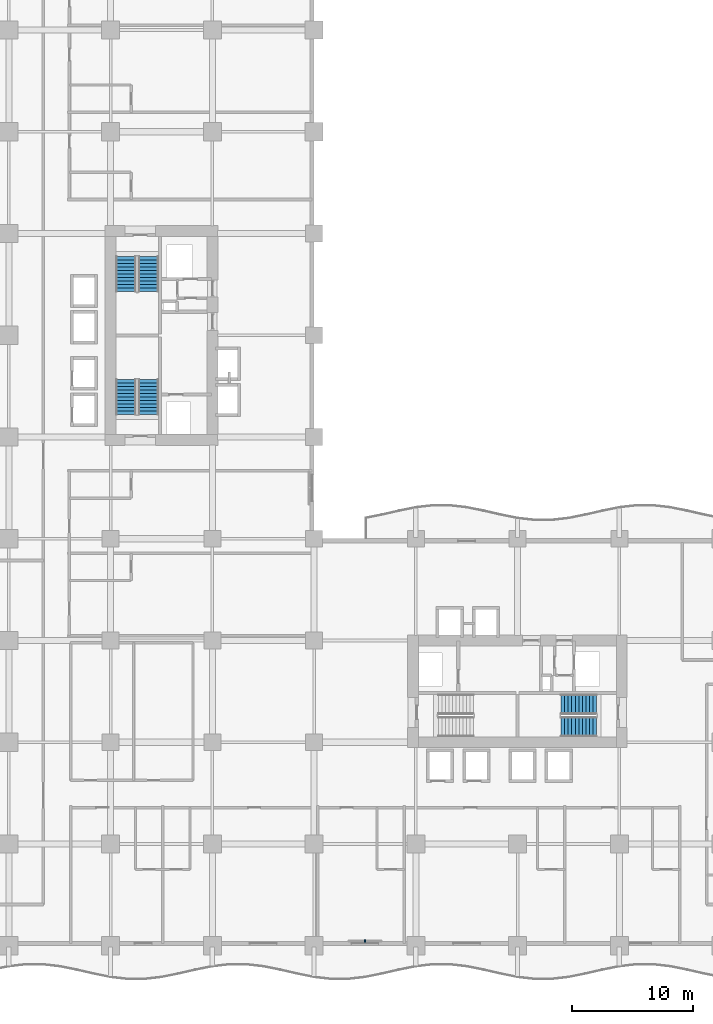
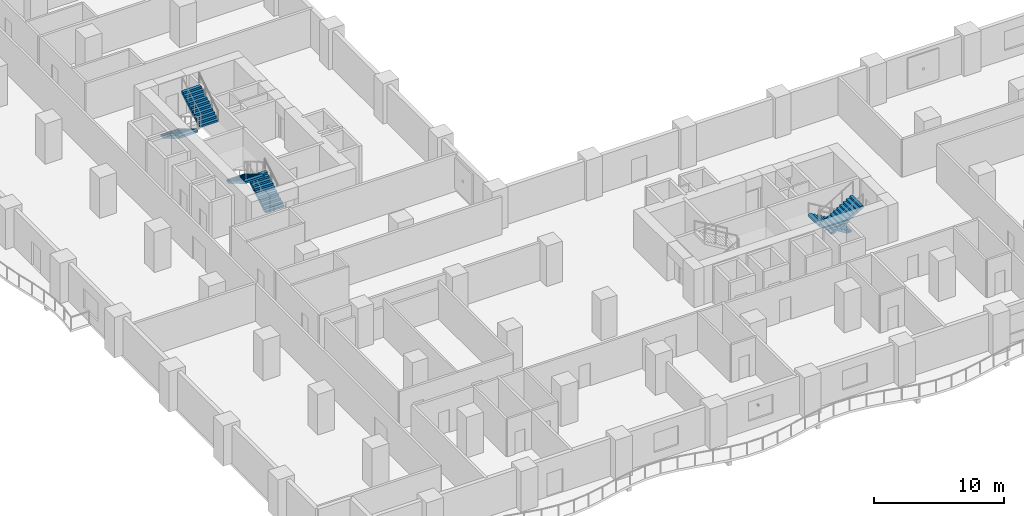
# One storey, part 13 of 20: 6 stair flights, 1 discrete accessory, 3 elements without a shape of their own.
"""IFC4 building model written with IfcOpenShell, lengths in metres."""

from ifc_helpers import new_model, si_unit, direction, frame, origin, origin_2d, place, context, subcontext, project, spatial, polyline, rectangle, outline, extrude, material, type_object, element, aggregate, save


model = new_model("IFC4")

# Units and contexts
model_context = context("Model", 3, precision=1e-05, world=origin(), true_north=direction((0.0, 1.0)))
body_context = subcontext(model_context, "Body", "Model", "MODEL_VIEW")
ifc_project = project(units=[si_unit("LENGTHUNIT", "METRE"), si_unit("AREAUNIT", "SQUARE_METRE"), si_unit("VOLUMEUNIT", "CUBIC_METRE"), si_unit("PLANEANGLEUNIT", "RADIAN"), si_unit("MASSUNIT", "GRAM", prefix="KILO")], contexts=[model_context])

# Site, building, storey
site_placement = place(None, origin())
site = spatial("IfcSite", under=ifc_project, at=site_placement, CompositionType="ELEMENT")
building_placement = place(site_placement, origin())
building = spatial("IfcBuilding", under=site, at=building_placement, Name="Koriwani Terraces Tower", CompositionType="ELEMENT")
storey_placement = place(building_placement, frame((0.0, 0.0, 58.60009765625)))
storey = spatial("IfcBuildingStorey", under=building, at=storey_placement, Name="L13", CompositionType="ELEMENT", Elevation=58.60009765625)

# Stair, stair flights
ifc_material_1 = material(Name="Concrete C40/50", Category="concrete")
stair_type = type_object("IfcStairType", Name="STAIR_CORE_DOGLEG_1650", PredefinedType="TWO_STRAIGHT_RUN_STAIR", material=ifc_material_1)
stair_1_placement = place(storey_placement, origin())
stair_1 = element("IfcStair", 1, at=stair_1_placement, inside=storey, type_object=stair_type, Name="L13 West Core Exit Stair 1", PredefinedType="HALF_TURN_STAIR")
stair_flight_type = type_object("IfcStairFlightType", Name="STAIR_FLIGHT_RC_1650", PredefinedType="STRAIGHT", material=ifc_material_1)
stair_flight_1_placement = place(storey_placement, frame((19.925048828125, 43.85009765625, 0.0), z_axis=(0.0, 0.0, 1.0), x_axis=(0.0, 1.0, 0.0)))
stair_flight_1 = element("IfcStairFlight", 2, at=stair_flight_1_placement, type_object=stair_flight_type, Name="ST-W1 flight 1", NumberOfRisers=11, NumberOfTreads=10, PredefinedType="STRAIGHT", RiserHeight=0.172727273, TreadLength=0.29, context=body_context, shape_type="SweptSolid", body=[
    extrude(outline(polyline([(0.0, 0.0), (0.0, 0.172607421875), (0.2900390625, 0.172607421875), (0.2900390625, 0.345458984375), (0.580078125, 0.345458984375), (0.580078125, 0.51806640625), (0.8701171875, 0.51806640625), (0.8701171875, 0.69091796875), (1.159912109375, 0.69091796875), (1.159912109375, 0.863525390625), (1.449951171875, 0.863525390625), (1.449951171875, 1.036376953125), (1.739990234375, 1.036376953125), (1.739990234375, 1.208984375), (2.030029296875, 1.208984375), (2.030029296875, 1.3818359375), (2.320068359375, 1.3818359375), (2.320068359375, 1.554443359375), (2.610107421875, 1.554443359375), (2.610107421875, 1.727294921875), (2.89990234375, 1.727294921875), (2.89990234375, 1.89990234375), (2.89990234375, 1.517822265625), (0.3515625, 0.0), (0.0, 0.0)])), frame((0.0, 0.824951171875, 0.0), z_axis=(0.0, -1.0, 0.0), x_axis=(1.0, 0.0, 0.0)), (0.0, 0.0, 1.0), 1.64990234375),
])
stair_flight_2_placement = place(storey_placement, frame((18.074951171875, 46.75, 1.89990234375), z_axis=(0.0, 0.0, 1.0), x_axis=(0.0, -1.0, 0.0)))
stair_flight_2 = element("IfcStairFlight", 3, at=stair_flight_2_placement, type_object=stair_flight_type, Name="ST-W1 flight 2", NumberOfRisers=11, NumberOfTreads=10, PredefinedType="STRAIGHT", RiserHeight=0.172727273, TreadLength=0.29, context=body_context, shape_type="SweptSolid", body=[
    extrude(outline(polyline([(0.0, 0.0), (0.0, 0.172607421875), (0.2900390625, 0.172607421875), (0.2900390625, 0.345458984375), (0.580078125, 0.345458984375), (0.580078125, 0.51806640625), (0.8701171875, 0.51806640625), (0.8701171875, 0.69091796875), (1.159912109375, 0.69091796875), (1.159912109375, 0.863525390625), (1.449951171875, 0.863525390625), (1.449951171875, 1.036376953125), (1.739990234375, 1.036376953125), (1.739990234375, 1.208984375), (2.030029296875, 1.208984375), (2.030029296875, 1.3818359375), (2.320068359375, 1.3818359375), (2.320068359375, 1.554443359375), (2.610107421875, 1.554443359375), (2.610107421875, 1.727294921875), (2.89990234375, 1.727294921875), (2.89990234375, 1.89990234375), (2.89990234375, 1.517822265625), (0.3515625, 0.0), (0.0, 0.0)])), frame((0.0, 0.824951171875, 0.0), z_axis=(0.0, -1.0, 0.0), x_axis=(1.0, 0.0, 0.0)), (0.0, 0.0, 1.0), 1.64990234375),
])
aggregate(stair_1, [stair_flight_1, stair_flight_2])

stair_2_placement = place(storey_placement, origin())
stair_2 = element("IfcStair", 4, at=stair_2_placement, inside=storey, type_object=stair_type, Name="L13 West Core Exit Stair 2", PredefinedType="HALF_TURN_STAIR")
stair_flight_3_placement = place(storey_placement, frame((18.074951171875, 56.89990234375, 0.0), z_axis=(0.0, 0.0, 1.0), x_axis=(0.0, -1.0, 0.0)))
stair_flight_3 = element("IfcStairFlight", 5, at=stair_flight_3_placement, type_object=stair_flight_type, Name="ST-W2 flight 1", NumberOfRisers=11, NumberOfTreads=10, PredefinedType="STRAIGHT", RiserHeight=0.172727273, TreadLength=0.29, context=body_context, shape_type="SweptSolid", body=[
    extrude(outline(polyline([(0.0, 0.0), (0.0, 0.172607421875), (0.2900390625, 0.172607421875), (0.2900390625, 0.345458984375), (0.580078125, 0.345458984375), (0.580078125, 0.51806640625), (0.8701171875, 0.51806640625), (0.8701171875, 0.69091796875), (1.159912109375, 0.69091796875), (1.159912109375, 0.863525390625), (1.449951171875, 0.863525390625), (1.449951171875, 1.036376953125), (1.739990234375, 1.036376953125), (1.739990234375, 1.208984375), (2.030029296875, 1.208984375), (2.030029296875, 1.3818359375), (2.320068359375, 1.3818359375), (2.320068359375, 1.554443359375), (2.610107421875, 1.554443359375), (2.610107421875, 1.727294921875), (2.89990234375, 1.727294921875), (2.89990234375, 1.89990234375), (2.89990234375, 1.517822265625), (0.3515625, 0.0), (0.0, 0.0)])), frame((0.0, 0.824951171875, 0.0), z_axis=(0.0, -1.0, 0.0), x_axis=(1.0, 0.0, 0.0)), (0.0, 0.0, 1.0), 1.64990234375),
])
stair_flight_4_placement = place(storey_placement, frame((19.925048828125, 54.0, 1.89990234375), z_axis=(0.0, 0.0, 1.0), x_axis=(0.0, 1.0, 0.0)))
stair_flight_4 = element("IfcStairFlight", 6, at=stair_flight_4_placement, type_object=stair_flight_type, Name="ST-W2 flight 2", NumberOfRisers=11, NumberOfTreads=10, PredefinedType="STRAIGHT", RiserHeight=0.172727273, TreadLength=0.29, context=body_context, shape_type="SweptSolid", body=[
    extrude(outline(polyline([(0.0, 0.0), (0.0, 0.172607421875), (0.2900390625, 0.172607421875), (0.2900390625, 0.345458984375), (0.580078125, 0.345458984375), (0.580078125, 0.51806640625), (0.8701171875, 0.51806640625), (0.8701171875, 0.69091796875), (1.159912109375, 0.69091796875), (1.159912109375, 0.863525390625), (1.449951171875, 0.863525390625), (1.449951171875, 1.036376953125), (1.739990234375, 1.036376953125), (1.739990234375, 1.208984375), (2.030029296875, 1.208984375), (2.030029296875, 1.3818359375), (2.320068359375, 1.3818359375), (2.320068359375, 1.554443359375), (2.610107421875, 1.554443359375), (2.610107421875, 1.727294921875), (2.89990234375, 1.727294921875), (2.89990234375, 1.89990234375), (2.89990234375, 1.517822265625), (0.3515625, 0.0), (0.0, 0.0)])), frame((0.0, 0.824951171875, 0.0), z_axis=(0.0, -1.0, 0.0), x_axis=(1.0, 0.0, 0.0)), (0.0, 0.0, 1.0), 1.64990234375),
])
aggregate(stair_2, [stair_flight_3, stair_flight_4])

stair_3_placement = place(storey_placement, origin())
stair_3 = element("IfcStair", 7, at=stair_3_placement, inside=storey, type_object=stair_type, Name="L13 East Core Exit Stair 2", PredefinedType="HALF_TURN_STAIR")
stair_flight_5_placement = place(storey_placement, frame((56.89990234375, 19.925048828125, 0.0), z_axis=(0.0, 0.0, 1.0), x_axis=(-1.0, 0.0, 0.0)))
stair_flight_5 = element("IfcStairFlight", 8, at=stair_flight_5_placement, type_object=stair_flight_type, Name="ST-E2 flight 1", NumberOfRisers=11, NumberOfTreads=10, PredefinedType="STRAIGHT", RiserHeight=0.172727273, TreadLength=0.29, context=body_context, shape_type="SweptSolid", body=[
    extrude(outline(polyline([(0.0, 0.0), (0.0, 0.172607421875), (0.2900390625, 0.172607421875), (0.2900390625, 0.345458984375), (0.580078125, 0.345458984375), (0.580078125, 0.51806640625), (0.8701171875, 0.51806640625), (0.8701171875, 0.69091796875), (1.159912109375, 0.69091796875), (1.159912109375, 0.863525390625), (1.449951171875, 0.863525390625), (1.449951171875, 1.036376953125), (1.739990234375, 1.036376953125), (1.739990234375, 1.208984375), (2.030029296875, 1.208984375), (2.030029296875, 1.3818359375), (2.320068359375, 1.3818359375), (2.320068359375, 1.554443359375), (2.610107421875, 1.554443359375), (2.610107421875, 1.727294921875), (2.89990234375, 1.727294921875), (2.89990234375, 1.89990234375), (2.89990234375, 1.517822265625), (0.3515625, 0.0), (0.0, 0.0)])), frame((0.0, 0.824951171875, 0.0), z_axis=(0.0, -1.0, 0.0), x_axis=(1.0, 0.0, 0.0)), (0.0, 0.0, 1.0), 1.64990234375),
])
stair_flight_6_placement = place(storey_placement, frame((54.0, 18.074951171875, 1.89990234375), z_axis=(0.0, 0.0, 1.0), x_axis=(1.0, 0.0, 0.0)))
stair_flight_6 = element("IfcStairFlight", 9, at=stair_flight_6_placement, type_object=stair_flight_type, Name="ST-E2 flight 2", NumberOfRisers=11, NumberOfTreads=10, PredefinedType="STRAIGHT", RiserHeight=0.172727273, TreadLength=0.29, context=body_context, shape_type="SweptSolid", body=[
    extrude(outline(polyline([(0.0, 0.0), (0.0, 0.172607421875), (0.2900390625, 0.172607421875), (0.2900390625, 0.345458984375), (0.580078125, 0.345458984375), (0.580078125, 0.51806640625), (0.8701171875, 0.51806640625), (0.8701171875, 0.69091796875), (1.159912109375, 0.69091796875), (1.159912109375, 0.863525390625), (1.449951171875, 0.863525390625), (1.449951171875, 1.036376953125), (1.739990234375, 1.036376953125), (1.739990234375, 1.208984375), (2.030029296875, 1.208984375), (2.030029296875, 1.3818359375), (2.320068359375, 1.3818359375), (2.320068359375, 1.554443359375), (2.610107421875, 1.554443359375), (2.610107421875, 1.727294921875), (2.89990234375, 1.727294921875), (2.89990234375, 1.89990234375), (2.89990234375, 1.517822265625), (0.3515625, 0.0), (0.0, 0.0)])), frame((0.0, 0.824951171875, 0.0), z_axis=(0.0, -1.0, 0.0), x_axis=(1.0, 0.0, 0.0)), (0.0, 0.0, 1.0), 1.64990234375),
])
aggregate(stair_3, [stair_flight_5, stair_flight_6])

# Discrete accessory
ifc_material_2 = material(Name="Steel ASTM A572 Grade 50", Category="steel")
discrete_accessory_type = type_object("IfcDiscreteAccessoryType", Name="BAGUETTE_STANDOFF_BRACKET", PredefinedType="BRACKET", material=ifc_material_2)
discrete_accessory_placement = place(storey_placement, frame((37.800048828125, 0.389892578125, 1.68505859375), z_axis=(0.0, 0.0, 1.0), x_axis=(-1.0, 0.0, 0.0)))
element("IfcDiscreteAccessory", 10, at=discrete_accessory_placement, inside=storey, type_object=discrete_accessory_type, Name="L13 Terracotta Baguette Bracket (S-12)", PredefinedType="BRACKET", context=body_context, shape_type="SweptSolid", body=[
    extrude(rectangle(XDim=0.159912109375, YDim=0.199951171875, at=origin_2d()), origin(), (0.0, 0.0, 1.0), 0.179931640625),
])

save(model, "model.ifc")
